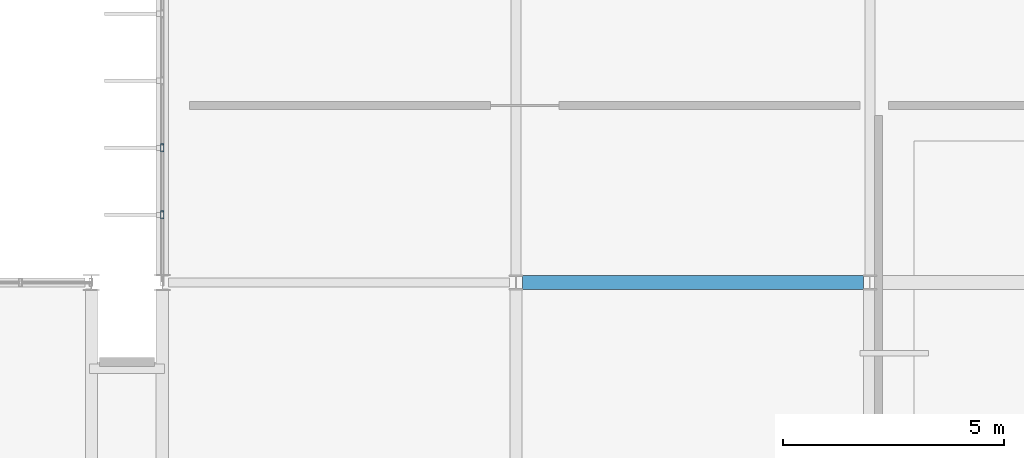
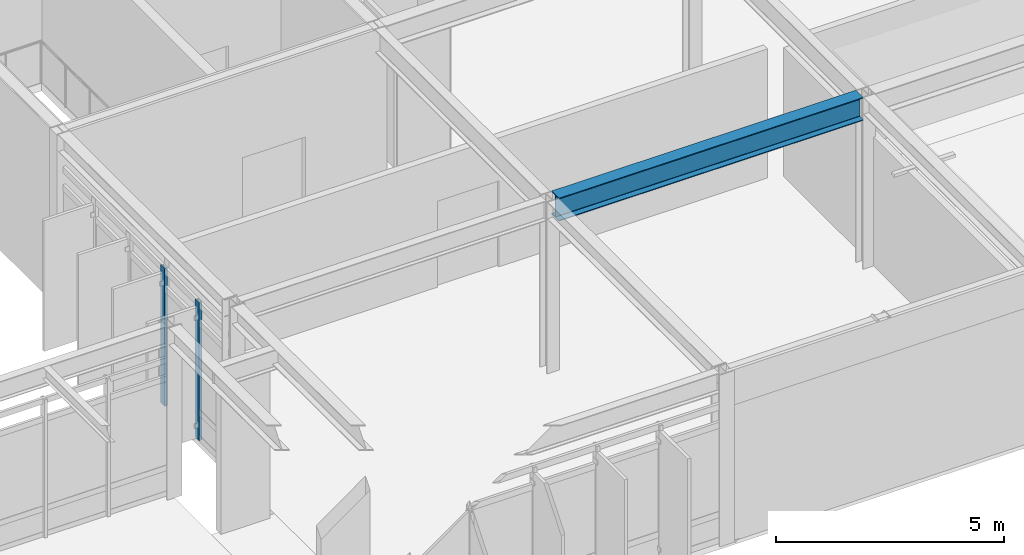
# One storey, part 39 of 100: 2 members, 1 beam, 1 element without a shape of its own.
"""IFC4 building model written with IfcOpenShell, lengths in metres."""

from ifc_helpers import new_model, si_unit, direction, frame, origin, origin_2d, place, context, subcontext, project, spatial, hollow_rectangle, i_section, extrude, material, material_profile, profile_set, type_object, element, aggregate, save


model = new_model("IFC4")

# Units and contexts
model_context = context("Model", 3, precision=1e-05, world=origin(), true_north=direction((0.0, 1.0)))
body_context = subcontext(model_context, "Body", "Model", "MODEL_VIEW")
ifc_project = project(units=[si_unit("LENGTHUNIT", "METRE"), si_unit("AREAUNIT", "SQUARE_METRE"), si_unit("VOLUMEUNIT", "CUBIC_METRE"), si_unit("PLANEANGLEUNIT", "RADIAN"), si_unit("MASSUNIT", "GRAM", prefix="KILO")], contexts=[model_context])

# Site, building, storey
site_placement = place(None, origin())
site = spatial("IfcSite", under=ifc_project, at=site_placement, CompositionType="ELEMENT")
building_placement = place(site_placement, origin())
building = spatial("IfcBuilding", under=site, at=building_placement, Name="Zulena Civic Courthouse", CompositionType="ELEMENT")
storey_placement = place(building_placement, frame((0.0, 0.0, 20.39990234375)))
storey = spatial("IfcBuildingStorey", under=building, at=storey_placement, Name="L04", CompositionType="ELEMENT", Elevation=20.39990234375)

# Curtain wall, members
ifc_material_1 = material(Name="Double-silver low-E laminated solar-control glass", Category="glass")
curtain_wall_type = type_object("IfcCurtainWallType", Name="CW_7576x3690", PredefinedType="USERDEFINED", material=ifc_material_1)
curtain_wall_placement = place(storey_placement, origin())
curtain_wall = element("IfcCurtainWall", 1, at=curtain_wall_placement, inside=storey, type_object=curtain_wall_type, Name="cw:V4:L04:0:1", ObjectType="UNITISED CURTAIN WALL", PredefinedType="USERDEFINED")
ifc_material_2 = material(Name="Bronze anodised thermally broken aluminium AA6063-T6", Category="aluminium")
ifc_material_profile_1 = material_profile(ifc_material_2, hollow_rectangle(XDim=0.074951171875, YDim=0.179931640625, WallThickness=0.0048828125, at=origin_2d()), Name="CWM180X75X5")
ifc_profile_set_1 = profile_set([ifc_material_profile_1], Name="Bronze anodised thermally broken aluminium AA6063-T6")
member_type = type_object("IfcMemberType", Name="CWMullion_180x75", PredefinedType="MULLION", material=ifc_profile_set_1)
member_1_placement = place(storey_placement, frame((68.0, 24.3271484375, 0.0), z_axis=(0.0, 0.0, 1.0), x_axis=(1.0, 0.0, 0.0)))
member_1 = element("IfcMember", 2, at=member_1_placement, type_object=member_type, Name="cw:V4:L04:0:1:mull:1", PredefinedType="MULLION", context=body_context, shape_type="SweptSolid", body=[
    extrude(hollow_rectangle(XDim=0.074951171875, YDim=0.179931640625, WallThickness=0.0048828125, at=origin_2d()), origin(), (0.0, 0.0, 1.0), 3.690185546875),
])
member_2_placement = place(storey_placement, frame((68.0, 25.84228515625, 0.0), z_axis=(0.0, 0.0, 1.0), x_axis=(1.0, 0.0, 0.0)))
member_2 = element("IfcMember", 3, at=member_2_placement, type_object=member_type, Name="cw:V4:L04:0:1:mull:2", PredefinedType="MULLION", context=body_context, shape_type="SweptSolid", body=[
    extrude(hollow_rectangle(XDim=0.074951171875, YDim=0.179931640625, WallThickness=0.0048828125, at=origin_2d()), origin(), (0.0, 0.0, 1.0), 3.690185546875),
])
aggregate(curtain_wall, [member_1, member_2])

# Beam
ifc_material_3 = material(Name="Steel ASTM A992 Grade 50", Category="steel")
ifc_material_profile_2 = material_profile(ifc_material_3, i_section(OverallWidth=0.324951171875, OverallDepth=0.615966796875, WebThickness=0.013916015625, FlangeThickness=0.021484375, FilletRadius=0.0126953125, at=origin_2d()), Name="W24X117")
ifc_profile_set_2 = profile_set([ifc_material_profile_2], Name="Steel ASTM A992 Grade 50")
beam_type = type_object("IfcBeamType", Name="Girder_W24X117", PredefinedType="BEAM", material=ifc_profile_set_2)
beam_placement = place(storey_placement, frame((76.14501953125, 22.800048828125, 4.287109375), z_axis=(1.0, 0.0, 0.0), x_axis=(0.0, 1.0, 0.0)))
element("IfcBeam", 4, at=beam_placement, inside=storey, type_object=beam_type, Name="beam:X:V4:L04:22.8:76.0_84.0", PredefinedType="BEAM", context=body_context, shape_type="SweptSolid", body=[
    extrude(i_section(OverallWidth=0.324951171875, OverallDepth=0.615966796875, WebThickness=0.013916015625, FlangeThickness=0.021484375, FilletRadius=0.0126953125, at=origin_2d()), origin(), (0.0, 0.0, 1.0), 7.7099609375),
])

save(model, "model.ifc")
